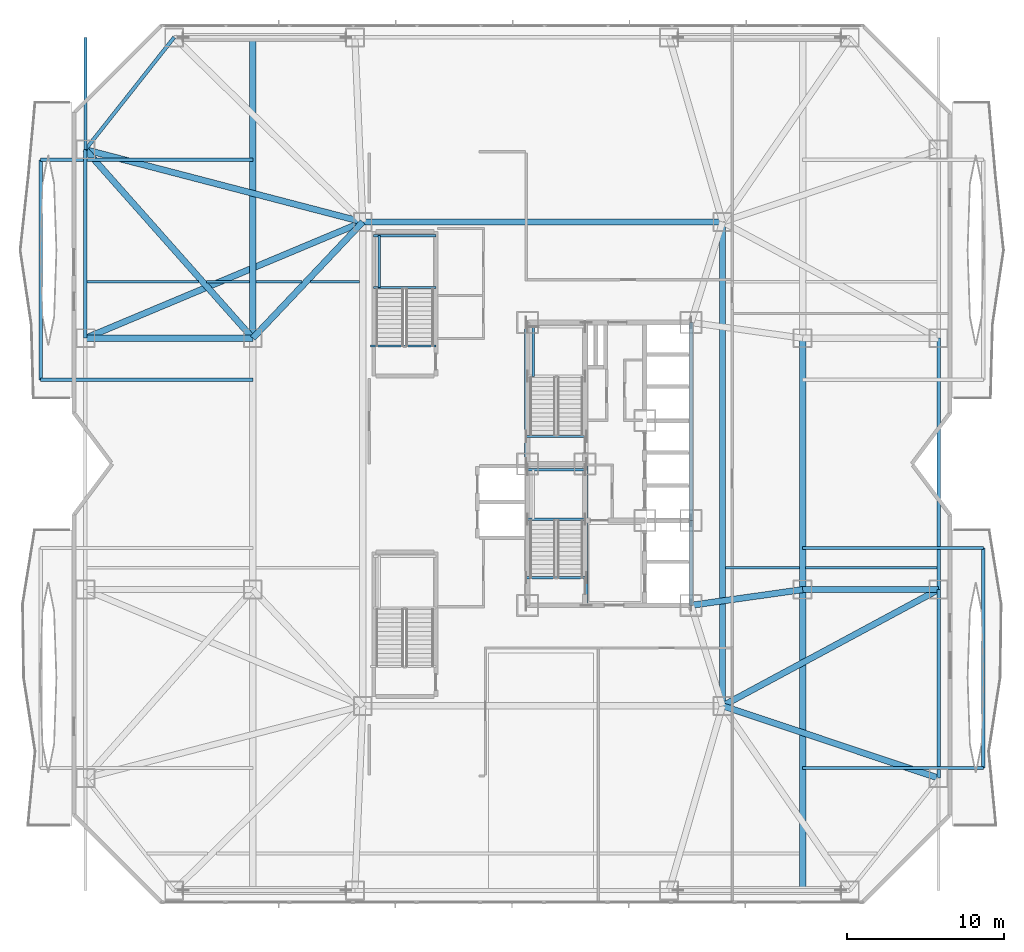
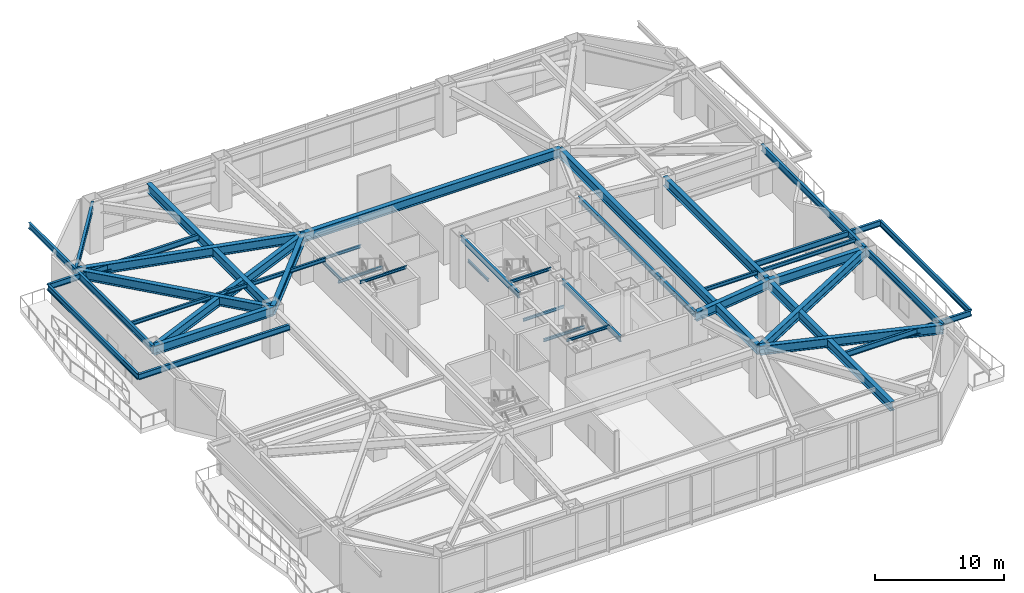
# One storey, part 9 of 33: 44 beams.
"""IFC4 building model written with IfcOpenShell, lengths in metres."""

from ifc_helpers import new_model, si_unit, direction, frame, origin, origin_2d, place, context, subcontext, project, spatial, i_section, extrude, material, material_profile, profile_set, type_object, element, save


model = new_model("IFC4")

# Units and contexts
model_context = context("Model", 3, precision=1e-05, world=origin(), true_north=direction((0.0, 1.0)))
body_context = subcontext(model_context, "Body", "Model", "MODEL_VIEW")
ifc_project = project(units=[si_unit("LENGTHUNIT", "METRE"), si_unit("AREAUNIT", "SQUARE_METRE"), si_unit("VOLUMEUNIT", "CUBIC_METRE"), si_unit("PLANEANGLEUNIT", "RADIAN"), si_unit("MASSUNIT", "GRAM", prefix="KILO")], contexts=[model_context])

# Site, building, storey
site_placement = place(None, origin())
site = spatial("IfcSite", under=ifc_project, at=site_placement, CompositionType="ELEMENT")
building_placement = place(site_placement, origin())
building = spatial("IfcBuilding", under=site, at=building_placement, Name="Khamvora Tower", CompositionType="ELEMENT")
storey_placement = place(building_placement, frame((0.0, 0.0, 7.199951171875)))
storey = spatial("IfcBuildingStorey", under=building, at=storey_placement, Name="L01", CompositionType="ELEMENT", Elevation=7.199951171875)

# Beams
ifc_material = material(Name="Steel S355", Category="steel")
ifc_material_profile_1 = material_profile(ifc_material, i_section(OverallWidth=0.1708984375, OverallDepth=0.35498046875, WebThickness=0.007080078125, FlangeThickness=0.011962890625, FilletRadius=0.010009765625, at=origin_2d()), Name="W360x51")
ifc_profile_set_1 = profile_set([ifc_material_profile_1], Name="Steel S355")
beam_type_1 = type_object("IfcBeamType", Name="BM-JS-W360x51", PredefinedType="JOIST", material=ifc_profile_set_1)
beam_1_placement = place(storey_placement, frame((41.594970703125, 21.39990234375, 4.302001953125), z_axis=(1.0, 0.0, 0.0), x_axis=(0.0, 1.0, 0.0)))
element("IfcBeam", 1, at=beam_1_placement, inside=storey, type_object=beam_type_1, Name="L01 secondary floor joist 09", PredefinedType="JOIST", context=body_context, shape_type="SweptSolid", body=[
    extrude(i_section(OverallWidth=0.1708984375, OverallDepth=0.35498046875, WebThickness=0.007080078125, FlangeThickness=0.011962890625, FilletRadius=0.010009765625, at=origin_2d()), origin(), (0.0, 0.0, 1.0), 4.7099609375),
])
beam_2_placement = place(storey_placement, frame((46.695068359375, 21.39990234375, 4.302001953125), z_axis=(1.0, 0.0, 0.0), x_axis=(0.0, 1.0, 0.0)))
element("IfcBeam", 2, at=beam_2_placement, inside=storey, type_object=beam_type_1, Name="L01 secondary floor joist 10", PredefinedType="JOIST", context=body_context, shape_type="SweptSolid", body=[
    extrude(i_section(OverallWidth=0.1708984375, OverallDepth=0.35498046875, WebThickness=0.007080078125, FlangeThickness=0.011962890625, FilletRadius=0.010009765625, at=origin_2d()), origin(), (0.0, 0.0, 1.0), 8.344970703125),
])
beam_3_placement = place(storey_placement, frame((0.9599609375, 39.60009765625, 4.302001953125), z_axis=(1.0, 0.0, 0.0), x_axis=(0.0, 1.0, 0.0)))
element("IfcBeam", 3, at=beam_3_placement, inside=storey, type_object=beam_type_1, Name="L01 secondary floor joist 11", PredefinedType="JOIST", context=body_context, shape_type="SweptSolid", body=[
    extrude(i_section(OverallWidth=0.1708984375, OverallDepth=0.35498046875, WebThickness=0.007080078125, FlangeThickness=0.011962890625, FilletRadius=0.010009765625, at=origin_2d()), origin(), (0.0, 0.0, 1.0), 7.0830078125),
])
beam_4_placement = place(storey_placement, frame((8.56689453125, 39.60009765625, 4.302001953125), z_axis=(1.0, 0.0, 0.0), x_axis=(0.0, 1.0, 0.0)))
element("IfcBeam", 4, at=beam_4_placement, inside=storey, type_object=beam_type_1, Name="L01 secondary floor joist 12", PredefinedType="JOIST", context=body_context, shape_type="SweptSolid", body=[
    extrude(i_section(OverallWidth=0.1708984375, OverallDepth=0.35498046875, WebThickness=0.007080078125, FlangeThickness=0.011962890625, FilletRadius=0.010009765625, at=origin_2d()), origin(), (0.0, 0.0, 1.0), 2.738037109375),
])
beam_5_placement = place(storey_placement, frame((11.695068359375, 39.60009765625, 4.302001953125), z_axis=(1.0, 0.0, 0.0), x_axis=(0.0, 1.0, 0.0)))
element("IfcBeam", 5, at=beam_5_placement, inside=storey, type_object=beam_type_1, Name="L01 secondary floor joist 13", PredefinedType="JOIST", context=body_context, shape_type="SweptSolid", body=[
    extrude(i_section(OverallWidth=0.1708984375, OverallDepth=0.35498046875, WebThickness=0.007080078125, FlangeThickness=0.011962890625, FilletRadius=0.010009765625, at=origin_2d()), origin(), (0.0, 0.0, 1.0), 2.93994140625),
])
beam_6_placement = place(storey_placement, frame((15.176025390625, 39.60009765625, 4.302001953125), z_axis=(1.0, 0.0, 0.0), x_axis=(0.0, 1.0, 0.0)))
element("IfcBeam", 6, at=beam_6_placement, inside=storey, type_object=beam_type_1, Name="L01 secondary floor joist 14", PredefinedType="JOIST", context=body_context, shape_type="SweptSolid", body=[
    extrude(i_section(OverallWidth=0.1708984375, OverallDepth=0.35498046875, WebThickness=0.007080078125, FlangeThickness=0.011962890625, FilletRadius=0.010009765625, at=origin_2d()), origin(), (0.0, 0.0, 1.0), 3.12890625),
])
ifc_material_profile_2 = material_profile(ifc_material, i_section(OverallWidth=0.14697265625, OverallDepth=0.261962890625, WebThickness=0.007080078125, FlangeThickness=0.010986328125, FilletRadius=0.008056640625, at=origin_2d()), Name="W250x39")
ifc_profile_set_2 = profile_set([ifc_material_profile_2], Name="Steel S355")
beam_type_2 = type_object("IfcBeamType", Name="BM-LN-W250x39", PredefinedType="LINTEL", material=ifc_profile_set_2)
for number, where, z_axis, x_axis, name in (
    (7, (29.0, 24.47509765625, 2.069091796875), (1.0, 0.0, 0.0), (0.0, 1.0, 0.0), "L01 ST-01 half-landing support beam 1.1"),
    (8, (29.0, 27.6298828125, 2.069091796875), (1.0, 0.0, 0.0), (0.0, 1.0, 0.0), "L01 ST-01 half-landing support beam 1.2"),
):
    element("IfcBeam", number, at=place(storey_placement, frame(where, z_axis=z_axis, x_axis=x_axis)), inside=storey, type_object=beam_type_2, Name=name, PredefinedType="LINTEL", context=body_context, shape_type="SweptSolid", body=[
        extrude(i_section(OverallWidth=0.14697265625, OverallDepth=0.261962890625, WebThickness=0.007080078125, FlangeThickness=0.010986328125, FilletRadius=0.008056640625, at=origin_2d()), origin(), (0.0, 0.0, 1.0), 3.64990234375),
    ])
beam_7_placement = place(storey_placement, frame((29.35009765625, 33.574951171875, 2.069091796875), z_axis=(0.0, 1.0, 0.0), x_axis=(-1.0, 0.0, 0.0)))
element("IfcBeam", 9, at=beam_7_placement, inside=storey, type_object=beam_type_2, Name="L01 ST-02 half-landing edge stringer 1", PredefinedType="LINTEL", context=body_context, shape_type="SweptSolid", body=[
    extrude(i_section(OverallWidth=0.14697265625, OverallDepth=0.261962890625, WebThickness=0.007080078125, FlangeThickness=0.010986328125, FilletRadius=0.008056640625, at=origin_2d()), origin(), (0.0, 0.0, 1.0), 3.155029296875),
])
for number, where, z_axis, x_axis, name in (
    (10, (19.199951171875, 39.22509765625, 2.069091796875), (1.0, 0.0, 0.0), (0.0, 1.0, 0.0), "L01 ST-04 half-landing support beam 1.1"),
    (11, (19.199951171875, 42.530029296875, 2.069091796875), (1.0, 0.0, 0.0), (0.0, 1.0, 0.0), "L01 ST-04 half-landing support beam 1.2"),
):
    element("IfcBeam", number, at=place(storey_placement, frame(where, z_axis=z_axis, x_axis=x_axis)), inside=storey, type_object=beam_type_2, Name=name, PredefinedType="LINTEL", context=body_context, shape_type="SweptSolid", body=[
        extrude(i_section(OverallWidth=0.14697265625, OverallDepth=0.261962890625, WebThickness=0.007080078125, FlangeThickness=0.010986328125, FilletRadius=0.008056640625, at=origin_2d()), origin(), (0.0, 0.0, 1.0), 3.949951171875),
    ])
beam_8_placement = place(storey_placement, frame((19.550048828125, 39.22509765625, 2.069091796875), z_axis=(0.0, 1.0, 0.0), x_axis=(-1.0, 0.0, 0.0)))
element("IfcBeam", 12, at=beam_8_placement, inside=storey, type_object=beam_type_2, Name="L01 ST-04 half-landing edge stringer 1", PredefinedType="LINTEL", context=body_context, shape_type="SweptSolid", body=[
    extrude(i_section(OverallWidth=0.14697265625, OverallDepth=0.261962890625, WebThickness=0.007080078125, FlangeThickness=0.010986328125, FilletRadius=0.008056640625, at=origin_2d()), origin(), (0.0, 0.0, 1.0), 3.304931640625),
])
for number, where, z_axis, x_axis, name in (
    (13, (28.89990234375, 20.75, 4.35400390625), (1.0, 0.0, 0.0), (0.0, 1.0, 0.0), "L01 exit stair ST-01 landing trimmer beam"),
    (14, (28.89990234375, 29.75, 4.35400390625), (1.0, 0.0, 0.0), (0.0, 1.0, 0.0), "L01 exit stair ST-02 landing trimmer beam"),
):
    element("IfcBeam", number, at=place(storey_placement, frame(where, z_axis=z_axis, x_axis=x_axis)), inside=storey, type_object=beam_type_2, Name=name, PredefinedType="LINTEL", context=body_context, shape_type="SweptSolid", body=[
        extrude(i_section(OverallWidth=0.14697265625, OverallDepth=0.261962890625, WebThickness=0.007080078125, FlangeThickness=0.010986328125, FilletRadius=0.008056640625, at=origin_2d()), origin(), (0.0, 0.0, 1.0), 3.830078125),
    ])
beam_9_placement = place(storey_placement, frame((19.0, 35.5, 4.35400390625), z_axis=(1.0, 0.0, 0.0), x_axis=(0.0, 1.0, 0.0)))
element("IfcBeam", 15, at=beam_9_placement, inside=storey, type_object=beam_type_2, Name="L01 podium stair ST04 landing trimmer beam", PredefinedType="LINTEL", context=body_context, shape_type="SweptSolid", body=[
    extrude(i_section(OverallWidth=0.14697265625, OverallDepth=0.261962890625, WebThickness=0.007080078125, FlangeThickness=0.010986328125, FilletRadius=0.008056640625, at=origin_2d()), origin(), (0.0, 0.0, 1.0), 4.14990234375),
])
ifc_material_profile_3 = material_profile(ifc_material, i_section(OverallWidth=0.39990234375, OverallDepth=0.85498046875, WebThickness=0.01806640625, FlangeThickness=0.029052734375, FilletRadius=0.01806640625, at=origin_2d()), Name="W840x299")
ifc_profile_set_3 = profile_set([ifc_material_profile_3], Name="Steel S355")
beam_type_3 = type_object("IfcBeamType", Name="BM-PG-W840x299", PredefinedType="BEAM", material=ifc_profile_set_3)
beam_10_placement = place(storey_placement, frame((41.39990234375, 12.60009765625, 4.052001953125), z_axis=(0.0, 1.0, 0.0), x_axis=(-1.0, 0.0, 0.0)))
element("IfcBeam", 16, at=beam_10_placement, inside=storey, type_object=beam_type_3, Name="L01 longitudinal frame girder P18-P20", PredefinedType="BEAM", context=body_context, shape_type="SweptSolid", body=[
    extrude(i_section(OverallWidth=0.39990234375, OverallDepth=0.85498046875, WebThickness=0.01806640625, FlangeThickness=0.029052734375, FilletRadius=0.01806640625, at=origin_2d()), origin(), (0.0, 0.0, 1.0), 30.7998046875),
])
beam_11_placement = place(storey_placement, frame((18.5, 43.39990234375, 4.052001953125), z_axis=(1.0, 0.0, 0.0), x_axis=(0.0, 1.0, 0.0)))
element("IfcBeam", 17, at=beam_11_placement, inside=storey, type_object=beam_type_3, Name="L01 longitudinal frame girder P19-P20", PredefinedType="BEAM", context=body_context, shape_type="SweptSolid", body=[
    extrude(i_section(OverallWidth=0.39990234375, OverallDepth=0.85498046875, WebThickness=0.01806640625, FlangeThickness=0.029052734375, FilletRadius=0.01806640625, at=origin_2d()), origin(), (0.0, 0.0, 1.0), 22.89990234375),
])
beam_12_placement = place(storey_placement, frame((46.5, 20.0, 4.052001953125), z_axis=(0.0, 1.0, 0.0), x_axis=(-1.0, 0.0, 0.0)))
element("IfcBeam", 18, at=beam_12_placement, inside=storey, type_object=beam_type_3, Name="L01 longitudinal frame girder P23-P24", PredefinedType="BEAM", context=body_context, shape_type="SweptSolid", body=[
    extrude(i_section(OverallWidth=0.39990234375, OverallDepth=0.85498046875, WebThickness=0.01806640625, FlangeThickness=0.029052734375, FilletRadius=0.01806640625, at=origin_2d()), origin(), (0.0, 0.0, 1.0), 16.0),
])
beam_13_placement = place(storey_placement, frame((11.5, 36.0, 4.052001953125), z_axis=(-1.0, 0.0, 0.0), x_axis=(0.0, -1.0, 0.0)))
element("IfcBeam", 19, at=beam_13_placement, inside=storey, type_object=beam_type_3, Name="L01 primary floor girder P11", PredefinedType="BEAM", context=body_context, shape_type="SweptSolid", body=[
    extrude(i_section(OverallWidth=0.39990234375, OverallDepth=0.85498046875, WebThickness=0.01806640625, FlangeThickness=0.029052734375, FilletRadius=0.01806640625, at=origin_2d()), origin(), (0.0, 0.0, 1.0), 10.64990234375),
])
beam_14_placement = place(storey_placement, frame((11.5, 36.0, 4.052001953125), z_axis=(-0.6637799472, 0.747927925468, 0.0), x_axis=(-0.747927925468, -0.6637799472, 0.0)))
element("IfcBeam", 20, at=beam_14_placement, inside=storey, type_object=beam_type_3, Name="L01 primary floor girder P12", PredefinedType="BEAM", context=body_context, shape_type="SweptSolid", body=[
    extrude(i_section(OverallWidth=0.39990234375, OverallDepth=0.85498046875, WebThickness=0.01806640625, FlangeThickness=0.029052734375, FilletRadius=0.01806640625, at=origin_2d()), origin(), (0.0, 0.0, 1.0), 16.04443359375),
])
beam_15_placement = place(storey_placement, frame((41.39990234375, 12.60009765625, 4.052001953125), z_axis=(0.948335857324, -0.31726818579, 0.0), x_axis=(0.31726818579, 0.948335857324, 0.0)))
element("IfcBeam", 21, at=beam_15_placement, inside=storey, type_object=beam_type_3, Name="L01 primary floor girder P13", PredefinedType="BEAM", context=body_context, shape_type="SweptSolid", body=[
    extrude(i_section(OverallWidth=0.39990234375, OverallDepth=0.85498046875, WebThickness=0.01806640625, FlangeThickness=0.029052734375, FilletRadius=0.01806640625, at=origin_2d()), origin(), (0.0, 0.0, 1.0), 14.4990234375),
])
beam_16_placement = place(storey_placement, frame((46.5, 20.0, 4.052001953125), z_axis=(1.0, 0.0, 0.0), x_axis=(0.0, 1.0, 0.0)))
element("IfcBeam", 22, at=beam_16_placement, inside=storey, type_object=beam_type_3, Name="L01 primary floor girder P14", PredefinedType="BEAM", context=body_context, shape_type="SweptSolid", body=[
    extrude(i_section(OverallWidth=0.39990234375, OverallDepth=0.85498046875, WebThickness=0.01806640625, FlangeThickness=0.029052734375, FilletRadius=0.01806640625, at=origin_2d()), origin(), (0.0, 0.0, 1.0), 8.64990234375),
])
beam_17_placement = place(storey_placement, frame((18.5, 43.39990234375, 4.052001953125), z_axis=(-0.687204640029, -0.726463889483, 0.0), x_axis=(0.726463889483, -0.687204640029, 0.0)))
element("IfcBeam", 23, at=beam_17_placement, inside=storey, type_object=beam_type_3, Name="L01 primary floor girder P22", PredefinedType="BEAM", context=body_context, shape_type="SweptSolid", body=[
    extrude(i_section(OverallWidth=0.39990234375, OverallDepth=0.85498046875, WebThickness=0.01806640625, FlangeThickness=0.029052734375, FilletRadius=0.01806640625, at=origin_2d()), origin(), (0.0, 0.0, 1.0), 10.186279296875),
])
beam_18_placement = place(storey_placement, frame((39.39990234375, 19.0, 4.052001953125), z_axis=(0.990226770029, 0.139466640879, 0.0), x_axis=(-0.139466640879, 0.990226770029, 0.0)))
element("IfcBeam", 24, at=beam_18_placement, inside=storey, type_object=beam_type_3, Name="L01 primary floor girder P23", PredefinedType="BEAM", context=body_context, shape_type="SweptSolid", body=[
    extrude(i_section(OverallWidth=0.39990234375, OverallDepth=0.85498046875, WebThickness=0.01806640625, FlangeThickness=0.029052734375, FilletRadius=0.01806640625, at=origin_2d()), origin(), (0.0, 0.0, 1.0), 7.170166015625),
])
beam_19_placement = place(storey_placement, frame((55.14990234375, 20.0, 4.052001953125), z_axis=(-0.880576508414, -0.473904012252, 0.0), x_axis=(0.473904012252, -0.880576508414, 0.0)))
element("IfcBeam", 25, at=beam_19_placement, inside=storey, type_object=beam_type_3, Name="L01 east plinth tie girder 2", PredefinedType="BEAM", context=body_context, shape_type="SweptSolid", body=[
    extrude(i_section(OverallWidth=0.39990234375, OverallDepth=0.85498046875, WebThickness=0.01806640625, FlangeThickness=0.029052734375, FilletRadius=0.01806640625, at=origin_2d()), origin(), (0.0, 0.0, 1.0), 15.61474609375),
])
beam_20_placement = place(storey_placement, frame((46.5, 0.85009765625, 4.052001953125), z_axis=(0.0, 1.0, 0.0), x_axis=(-1.0, 0.0, 0.0)))
element("IfcBeam", 26, at=beam_20_placement, inside=storey, type_object=beam_type_3, Name="L01 gallery collector girder E.1", PredefinedType="BEAM", context=body_context, shape_type="SweptSolid", body=[
    extrude(i_section(OverallWidth=0.39990234375, OverallDepth=0.85498046875, WebThickness=0.01806640625, FlangeThickness=0.029052734375, FilletRadius=0.01806640625, at=origin_2d()), origin(), (0.0, 0.0, 1.0), 19.14990234375),
])
beam_21_placement = place(storey_placement, frame((0.85009765625, 36.0, 4.052001953125), z_axis=(0.922225491396, 0.386652483529, 0.0), x_axis=(-0.386652483529, 0.922225491396, 0.0)))
element("IfcBeam", 27, at=beam_21_placement, inside=storey, type_object=beam_type_3, Name="L01 west plinth tie girder 3", PredefinedType="BEAM", context=body_context, shape_type="SweptSolid", body=[
    extrude(i_section(OverallWidth=0.39990234375, OverallDepth=0.85498046875, WebThickness=0.01806640625, FlangeThickness=0.029052734375, FilletRadius=0.01806640625, at=origin_2d()), origin(), (0.0, 0.0, 1.0), 19.138427734375),
])
beam_22_placement = place(storey_placement, frame((0.85009765625, 48.0, 4.052001953125), z_axis=(0.967673821538, -0.252205025942, 0.0), x_axis=(0.252205025942, 0.967673821538, 0.0)))
element("IfcBeam", 28, at=beam_22_placement, inside=storey, type_object=beam_type_3, Name="L01 west plinth tie girder 4", PredefinedType="BEAM", context=body_context, shape_type="SweptSolid", body=[
    extrude(i_section(OverallWidth=0.39990234375, OverallDepth=0.85498046875, WebThickness=0.01806640625, FlangeThickness=0.029052734375, FilletRadius=0.01806640625, at=origin_2d()), origin(), (0.0, 0.0, 1.0), 18.239501953125),
])
beam_23_placement = place(storey_placement, frame((11.5, 36.0, 4.052001953125), z_axis=(0.0, 1.0, 0.0), x_axis=(-1.0, 0.0, 0.0)))
element("IfcBeam", 29, at=beam_23_placement, inside=storey, type_object=beam_type_3, Name="L01 gallery collector girder W.3", PredefinedType="BEAM", context=body_context, shape_type="SweptSolid", body=[
    extrude(i_section(OverallWidth=0.39990234375, OverallDepth=0.85498046875, WebThickness=0.01806640625, FlangeThickness=0.029052734375, FilletRadius=0.01806640625, at=origin_2d()), origin(), (0.0, 0.0, 1.0), 19.14990234375),
])
ifc_material_profile_4 = material_profile(ifc_material, i_section(OverallWidth=0.2119140625, OverallDepth=0.5439453125, WebThickness=0.012939453125, FlangeThickness=0.02099609375, FilletRadius=0.013916015625, at=origin_2d()), Name="W530x123")
ifc_profile_set_4 = profile_set([ifc_material_profile_4], Name="Steel S355")
beam_type_4 = type_object("IfcBeamType", Name="BM-SP-W530x123", PredefinedType="SPANDREL", material=ifc_profile_set_4)
beam_24_placement = place(storey_placement, frame((0.85009765625, 48.0, 4.2080078125), z_axis=(0.0, 1.0, 0.0), x_axis=(-1.0, 0.0, 0.0)))
element("IfcBeam", 30, at=beam_24_placement, inside=storey, type_object=beam_type_4, Name="L01 W perimeter edge spandrel 5", PredefinedType="SPANDREL", context=body_context, shape_type="SweptSolid", body=[
    extrude(i_section(OverallWidth=0.2119140625, OverallDepth=0.5439453125, WebThickness=0.012939453125, FlangeThickness=0.02099609375, FilletRadius=0.013916015625, at=origin_2d()), origin(), (0.0, 0.0, 1.0), 7.14990234375),
])
ifc_material_profile_5 = material_profile(ifc_material, i_section(OverallWidth=0.208984375, OverallDepth=0.532958984375, WebThickness=0.010009765625, FlangeThickness=0.01611328125, FilletRadius=0.013916015625, at=origin_2d()), Name="W530x92")
ifc_profile_set_5 = profile_set([ifc_material_profile_5], Name="Steel S355")
beam_type_5 = type_object("IfcBeamType", Name="BM-SP-W530x92", PredefinedType="SPANDREL", material=ifc_profile_set_5)
for number, where, z_axis, x_axis, name in (
    (31, (28.89990234375, 28.0, 4.213134765625), (0.0, 1.0, 0.0), (-1.0, 0.0, 0.0), "L01 core spine girder WN"),
    (32, (32.72998046875, 19.0, 4.213134765625), (0.0, 1.0, 0.0), (-1.0, 0.0, 0.0), "L01 core spine girder M1S"),
):
    element("IfcBeam", number, at=place(storey_placement, frame(where, z_axis=z_axis, x_axis=x_axis)), inside=storey, type_object=beam_type_5, Name=name, PredefinedType="SPANDREL", context=body_context, shape_type="SweptSolid", body=[
        extrude(i_section(OverallWidth=0.208984375, OverallDepth=0.532958984375, WebThickness=0.010009765625, FlangeThickness=0.01611328125, FilletRadius=0.013916015625, at=origin_2d()), origin(), (0.0, 0.0, 1.0), 9.0),
    ])
beam_25_placement = place(storey_placement, frame((39.39990234375, 19.0, 4.213134765625), z_axis=(0.0, 1.0, 0.0), x_axis=(-1.0, 0.0, 0.0)))
element("IfcBeam", 33, at=beam_25_placement, inside=storey, type_object=beam_type_5, Name="L01 core spine girder ES", PredefinedType="SPANDREL", context=body_context, shape_type="SweptSolid", body=[
    extrude(i_section(OverallWidth=0.208984375, OverallDepth=0.532958984375, WebThickness=0.010009765625, FlangeThickness=0.01611328125, FilletRadius=0.013916015625, at=origin_2d()), origin(), (0.0, 0.0, 1.0), 5.39990234375),
])
beam_26_placement = place(storey_placement, frame((39.39990234375, 24.39990234375, 4.213134765625), z_axis=(0.0, 1.0, 0.0), x_axis=(-1.0, 0.0, 0.0)))
element("IfcBeam", 34, at=beam_26_placement, inside=storey, type_object=beam_type_5, Name="L01 core spine girder EN", PredefinedType="SPANDREL", context=body_context, shape_type="SweptSolid", body=[
    extrude(i_section(OverallWidth=0.208984375, OverallDepth=0.532958984375, WebThickness=0.010009765625, FlangeThickness=0.01611328125, FilletRadius=0.013916015625, at=origin_2d()), origin(), (0.0, 0.0, 1.0), 12.60009765625),
])
for number, where, z_axis, x_axis, name in (
    (35, (46.5, 8.64990234375, 4.113037109375), (1.0, 0.0, 0.0), (0.0, 1.0, 0.0), "L01 continuous gallery cantilever girder L02-EL1-1"),
    (36, (46.5, 22.64990234375, 4.113037109375), (1.0, 0.0, 0.0), (0.0, 1.0, 0.0), "L01 continuous gallery cantilever girder L02-EL1-2"),
):
    element("IfcBeam", number, at=place(storey_placement, frame(where, z_axis=z_axis, x_axis=x_axis)), inside=storey, type_object=beam_type_5, Name=name, PredefinedType="SPANDREL", context=body_context, shape_type="SweptSolid", body=[
        extrude(i_section(OverallWidth=0.208984375, OverallDepth=0.532958984375, WebThickness=0.010009765625, FlangeThickness=0.01611328125, FilletRadius=0.013916015625, at=origin_2d()), origin(), (0.0, 0.0, 1.0), 11.5),
    ])
beam_27_placement = place(storey_placement, frame((58.0, 8.64990234375, 4.113037109375), z_axis=(0.0, 1.0, 0.0), x_axis=(-1.0, 0.0, 0.0)))
element("IfcBeam", 37, at=beam_27_placement, inside=storey, type_object=beam_type_5, Name="L01 external gallery edge header beam L02-EL1", PredefinedType="SPANDREL", context=body_context, shape_type="SweptSolid", body=[
    extrude(i_section(OverallWidth=0.208984375, OverallDepth=0.532958984375, WebThickness=0.010009765625, FlangeThickness=0.01611328125, FilletRadius=0.013916015625, at=origin_2d()), origin(), (0.0, 0.0, 1.0), 14.0),
])
for number, where, z_axis, x_axis, name in (
    (38, (11.5, 33.35009765625, 4.113037109375), (-1.0, 0.0, 0.0), (0.0, -1.0, 0.0), "L01 continuous gallery cantilever girder L02-WL2-1"),
    (39, (11.5, 47.35009765625, 4.113037109375), (-1.0, 0.0, 0.0), (0.0, -1.0, 0.0), "L01 continuous gallery cantilever girder L02-WL2-2"),
):
    element("IfcBeam", number, at=place(storey_placement, frame(where, z_axis=z_axis, x_axis=x_axis)), inside=storey, type_object=beam_type_5, Name=name, PredefinedType="SPANDREL", context=body_context, shape_type="SweptSolid", body=[
        extrude(i_section(OverallWidth=0.208984375, OverallDepth=0.532958984375, WebThickness=0.010009765625, FlangeThickness=0.01611328125, FilletRadius=0.013916015625, at=origin_2d()), origin(), (0.0, 0.0, 1.0), 13.5),
    ])
beam_28_placement = place(storey_placement, frame((-2.0, 33.35009765625, 4.113037109375), z_axis=(0.0, 1.0, 0.0), x_axis=(-1.0, 0.0, 0.0)))
element("IfcBeam", 40, at=beam_28_placement, inside=storey, type_object=beam_type_5, Name="L01 external gallery edge header beam L02-WL2", PredefinedType="SPANDREL", context=body_context, shape_type="SweptSolid", body=[
    extrude(i_section(OverallWidth=0.208984375, OverallDepth=0.532958984375, WebThickness=0.010009765625, FlangeThickness=0.01611328125, FilletRadius=0.013916015625, at=origin_2d()), origin(), (0.0, 0.0, 1.0), 14.0),
])
ifc_material_profile_6 = material_profile(ifc_material, i_section(OverallWidth=0.22998046875, OverallDepth=0.616943359375, WebThickness=0.012939453125, FlangeThickness=0.02197265625, FilletRadius=0.013916015625, at=origin_2d()), Name="W610x140")
ifc_profile_set_6 = profile_set([ifc_material_profile_6], Name="Steel S355")
beam_type_6 = type_object("IfcBeamType", Name="BM-SP-W610x140", PredefinedType="SPANDREL", material=ifc_profile_set_6)
beam_29_placement = place(storey_placement, frame((55.14990234375, 8.0, 4.171142578125), z_axis=(0.0, 1.0, 0.0), x_axis=(-1.0, 0.0, 0.0)))
element("IfcBeam", 41, at=beam_29_placement, inside=storey, type_object=beam_type_6, Name="L01 perimeter spandrel beam P13-P14", PredefinedType="SPANDREL", context=body_context, shape_type="SweptSolid", body=[
    extrude(i_section(OverallWidth=0.22998046875, OverallDepth=0.616943359375, WebThickness=0.012939453125, FlangeThickness=0.02197265625, FilletRadius=0.013916015625, at=origin_2d()), origin(), (0.0, 0.0, 1.0), 12.0),
])
beam_30_placement = place(storey_placement, frame((55.14990234375, 20.0, 4.171142578125), z_axis=(0.0, 1.0, 0.0), x_axis=(-1.0, 0.0, 0.0)))
element("IfcBeam", 42, at=beam_30_placement, inside=storey, type_object=beam_type_6, Name="L01 perimeter spandrel beam P14-P15", PredefinedType="SPANDREL", context=body_context, shape_type="SweptSolid", body=[
    extrude(i_section(OverallWidth=0.22998046875, OverallDepth=0.616943359375, WebThickness=0.012939453125, FlangeThickness=0.02197265625, FilletRadius=0.013916015625, at=origin_2d()), origin(), (0.0, 0.0, 1.0), 16.0),
])
beam_31_placement = place(storey_placement, frame((6.5, 55.14990234375, 4.171142578125), z_axis=(-0.619998635429, -0.784602888133, 0.0), x_axis=(0.784602888133, -0.619998635429, 0.0)))
element("IfcBeam", 43, at=beam_31_placement, inside=storey, type_object=beam_type_6, Name="L01 perimeter spandrel beam P05-P12", PredefinedType="SPANDREL", context=body_context, shape_type="SweptSolid", body=[
    extrude(i_section(OverallWidth=0.22998046875, OverallDepth=0.616943359375, WebThickness=0.012939453125, FlangeThickness=0.02197265625, FilletRadius=0.013916015625, at=origin_2d()), origin(), (0.0, 0.0, 1.0), 9.11279296875),
])
beam_32_placement = place(storey_placement, frame((0.85009765625, 48.0, 4.171142578125), z_axis=(0.0, -1.0, 0.0), x_axis=(1.0, 0.0, 0.0)))
element("IfcBeam", 44, at=beam_32_placement, inside=storey, type_object=beam_type_6, Name="L01 perimeter spandrel beam P12-P11", PredefinedType="SPANDREL", context=body_context, shape_type="SweptSolid", body=[
    extrude(i_section(OverallWidth=0.22998046875, OverallDepth=0.616943359375, WebThickness=0.012939453125, FlangeThickness=0.02197265625, FilletRadius=0.013916015625, at=origin_2d()), origin(), (0.0, 0.0, 1.0), 12.0),
])

save(model, "model.ifc")
